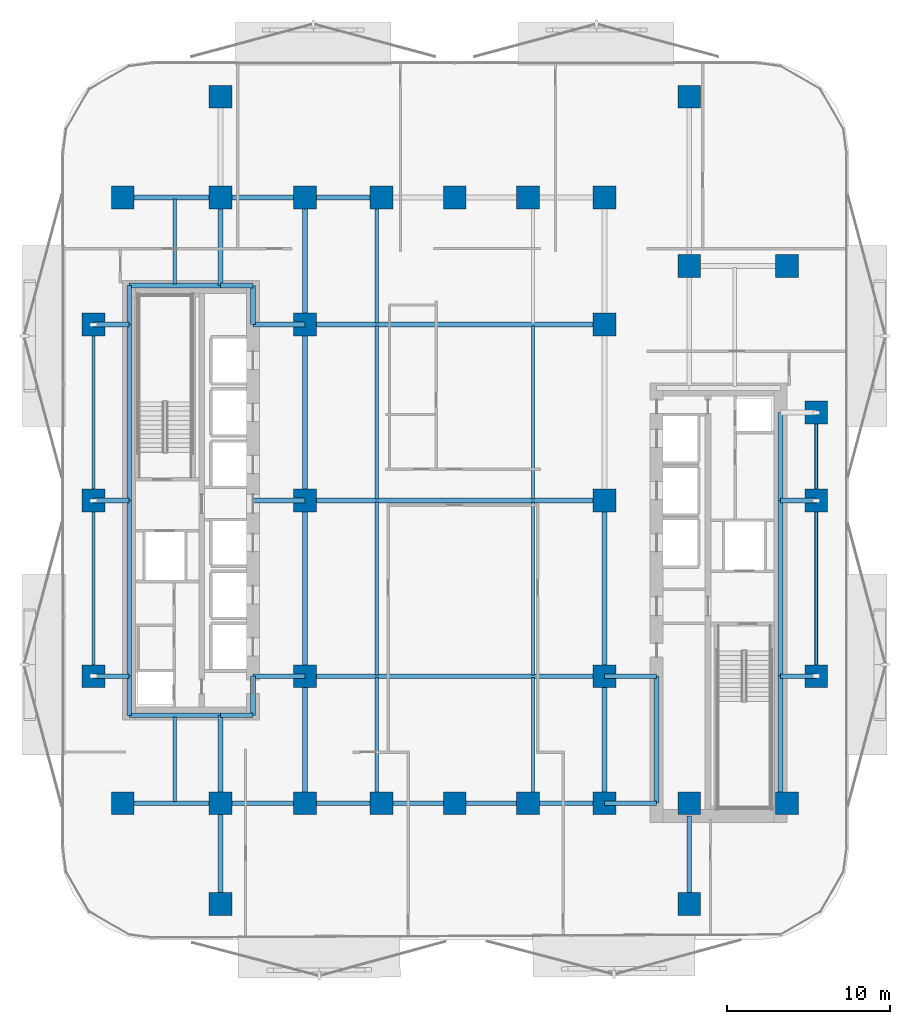
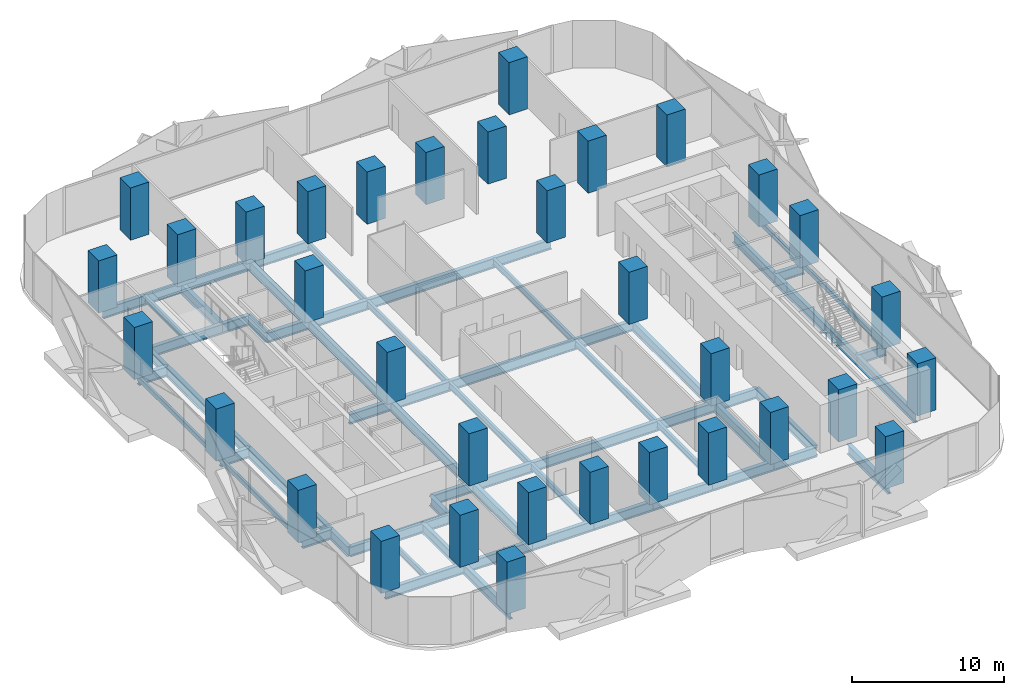
# One storey, part 1 of 16: 59 beams, 34 columns.
"""IFC4 building model written with IfcOpenShell, lengths in metres."""

from ifc_helpers import new_model, si_unit, direction, frame, origin, origin_2d, place, context, subcontext, project, spatial, rectangle, hollow_rectangle, i_section, extrude, material, material_profile, profile_set, type_object, element, save


model = new_model("IFC4")

# Units and contexts
model_context = context("Model", 3, precision=1e-05, world=origin(), true_north=direction((0.0, 1.0)))
body_context = subcontext(model_context, "Body", "Model", "MODEL_VIEW")
ifc_project = project(units=[si_unit("LENGTHUNIT", "METRE"), si_unit("AREAUNIT", "SQUARE_METRE"), si_unit("VOLUMEUNIT", "CUBIC_METRE"), si_unit("PLANEANGLEUNIT", "RADIAN"), si_unit("MASSUNIT", "GRAM", prefix="KILO")], contexts=[model_context])

# Site, building, storey
site_placement = place(None, origin())
site = spatial("IfcSite", under=ifc_project, at=site_placement, CompositionType="ELEMENT")
building_placement = place(site_placement, origin())
building = spatial("IfcBuilding", under=site, at=building_placement, Name="Khairoan Windgate Tower", CompositionType="ELEMENT")
storey_placement = place(building_placement, frame((0.0, 0.0, 80.60009765625)))
storey = spatial("IfcBuildingStorey", under=building, at=storey_placement, Name="L19", CompositionType="ELEMENT", Elevation=80.60009765625)

# Columns
ifc_material_1 = material(Name="Concrete C60/75", Category="concrete")
ifc_material_profile_1 = material_profile(ifc_material_1, rectangle(XDim=1.39990234375, YDim=1.39990234375, at=origin_2d()))
ifc_profile_set_1 = profile_set([ifc_material_profile_1], Name="Concrete C60/75")
column_type = type_object("IfcColumnType", Name="Column C-T2 RC1400x1400", PredefinedType="COLUMN", material=ifc_profile_set_1)
for number, where, z_axis, x_axis, name in (
    (1, (-9.199951171875, -18.60009765625, 0.0), (0.0, 0.0, 1.0), (1.0, 0.0, 0.0), "Column L19-01"),
    (2, (-9.199951171875, -10.800048828125, 0.0), (0.0, 0.0, 1.0), (1.0, 0.0, 0.0), "Column L19-02"),
    (3, (-9.199951171875, 0.0, 0.0), (0.0, 0.0, 1.0), (1.0, 0.0, 0.0), "Column L19-03"),
    (4, (-9.199951171875, 10.800048828125, 0.0), (0.0, 0.0, 1.0), (1.0, 0.0, 0.0), "Column L19-04"),
    (5, (-9.199951171875, 18.60009765625, 0.0), (0.0, 0.0, 1.0), (1.0, 0.0, 0.0), "Column L19-05"),
    (6, (9.199951171875, -18.60009765625, 0.0), (0.0, 0.0, 1.0), (1.0, 0.0, 0.0), "Column L19-06"),
    (7, (9.199951171875, -10.800048828125, 0.0), (0.0, 0.0, 1.0), (1.0, 0.0, 0.0), "Column L19-07"),
    (8, (9.199951171875, 0.0, 0.0), (0.0, 0.0, 1.0), (1.0, 0.0, 0.0), "Column L19-08"),
    (9, (9.199951171875, 10.800048828125, 0.0), (0.0, 0.0, 1.0), (1.0, 0.0, 0.0), "Column L19-09"),
    (10, (9.199951171875, 18.60009765625, 0.0), (0.0, 0.0, 1.0), (1.0, 0.0, 0.0), "Column L19-10"),
    (11, (-20.39990234375, -18.60009765625, 0.0), (0.0, 0.0, 1.0), (1.0, 0.0, 0.0), "Column L19-11"),
    (12, (-20.39990234375, 18.60009765625, 0.0), (0.0, 0.0, 1.0), (1.0, 0.0, 0.0), "Column L19-12"),
    (13, (20.39990234375, -18.60009765625, 0.0), (0.0, 0.0, 1.0), (1.0, 0.0, 0.0), "Column L19-13"),
    (14, (20.39990234375, 14.39990234375, 0.0), (0.0, 0.0, 1.0), (1.0, 0.0, 0.0), "Column L19-14"),
    (15, (-14.39990234375, -18.60009765625, 0.0), (0.0, 0.0, 1.0), (1.0, 0.0, 0.0), "Column L19-15"),
    (16, (-14.39990234375, 18.60009765625, 0.0), (0.0, 0.0, 1.0), (1.0, 0.0, 0.0), "Column L19-16"),
    (17, (14.39990234375, -18.60009765625, 0.0), (0.0, 0.0, 1.0), (1.0, 0.0, 0.0), "Column L19-17"),
    (18, (14.39990234375, 14.39990234375, 0.0), (0.0, 0.0, 1.0), (1.0, 0.0, 0.0), "Column L19-18"),
    (19, (-4.5, -18.60009765625, 0.0), (0.0, 0.0, 1.0), (1.0, 0.0, 0.0), "Column L19-19"),
    (20, (0.0, -18.60009765625, 0.0), (0.0, 0.0, 1.0), (1.0, 0.0, 0.0), "Column L19-20"),
    (21, (4.5, -18.60009765625, 0.0), (0.0, 0.0, 1.0), (1.0, 0.0, 0.0), "Column L19-21"),
    (22, (-4.5, 18.60009765625, 0.0), (0.0, 0.0, 1.0), (1.0, 0.0, 0.0), "Column L19-22"),
    (23, (0.0, 18.60009765625, 0.0), (0.0, 0.0, 1.0), (1.0, 0.0, 0.0), "Column L19-23"),
    (24, (4.5, 18.60009765625, 0.0), (0.0, 0.0, 1.0), (1.0, 0.0, 0.0), "Column L19-24"),
    (25, (-22.199951171875, -10.800048828125, 0.0), (0.0, 0.0, 1.0), (1.0, 0.0, 0.0), "Column L19-25"),
    (26, (-22.199951171875, 0.0, 0.0), (0.0, 0.0, 1.0), (1.0, 0.0, 0.0), "Column L19-26"),
    (27, (-22.199951171875, 10.800048828125, 0.0), (0.0, 0.0, 1.0), (1.0, 0.0, 0.0), "Column L19-27"),
    (28, (22.199951171875, -10.800048828125, 0.0), (0.0, 0.0, 1.0), (1.0, 0.0, 0.0), "Column L19-28"),
    (29, (22.199951171875, 0.0, 0.0), (0.0, 0.0, 1.0), (1.0, 0.0, 0.0), "Column L19-29"),
    (30, (22.199951171875, 5.39990234375, 0.0), (0.0, 0.0, 1.0), (1.0, 0.0, 0.0), "Column L19-30"),
    (31, (-14.39990234375, -24.800048828125, 0.0), (0.0, 0.0, 1.0), (1.0, 0.0, 0.0), "Column L19-31"),
    (32, (-14.39990234375, 24.800048828125, 0.0), (0.0, 0.0, 1.0), (1.0, 0.0, 0.0), "Column L19-32"),
    (33, (14.39990234375, -24.800048828125, 0.0), (0.0, 0.0, 1.0), (1.0, 0.0, 0.0), "Column L19-33"),
    (34, (14.39990234375, 24.800048828125, 0.0), (0.0, 0.0, 1.0), (1.0, 0.0, 0.0), "Column L19-34"),
):
    element("IfcColumn", number, at=place(storey_placement, frame(where, z_axis=z_axis, x_axis=x_axis)), inside=storey, type_object=column_type, Name=name, PredefinedType="COLUMN", context=body_context, shape_type="SweptSolid", body=[
        extrude(rectangle(XDim=1.39990234375, YDim=1.39990234375, at=origin_2d()), origin(), (0.0, 0.0, 1.0), 4.199951171875),
    ])

# Beams
ifc_material_2 = material(Name="Steel S355", Category="steel")
ifc_material_profile_2 = material_profile(ifc_material_2, i_section(OverallWidth=0.300048828125, OverallDepth=0.800048828125, WebThickness=0.013916015625, FlangeThickness=0.02587890625, FilletRadius=0.028076171875, at=origin_2d()))
ifc_profile_set_2 = profile_set([ifc_material_profile_2], Name="Steel S355")
beam_type_1 = type_object("IfcBeamType", Name="Beam B-G2 H800x300x14x26", PredefinedType="BEAM", material=ifc_profile_set_2)
beam_1_placement = place(storey_placement, frame((-20.39990234375, -18.60009765625, -0.66015625), z_axis=(1.0, 0.0, 0.0), x_axis=(0.0, 1.0, 0.0)))
element("IfcBeam", 35, at=beam_1_placement, inside=storey, type_object=beam_type_1, Name="L19 E-W Primary Girder 01", PredefinedType="BEAM", context=body_context, shape_type="SweptSolid", body=[
    extrude(i_section(OverallWidth=0.300048828125, OverallDepth=0.800048828125, WebThickness=0.013916015625, FlangeThickness=0.02587890625, FilletRadius=0.028076171875, at=origin_2d()), origin(), (0.0, 0.0, 1.0), 6.0),
])
beam_2_placement = place(storey_placement, frame((-14.39990234375, -18.60009765625, -0.66015625), z_axis=(1.0, 0.0, 0.0), x_axis=(0.0, 1.0, 0.0)))
element("IfcBeam", 36, at=beam_2_placement, inside=storey, type_object=beam_type_1, Name="L19 E-W Primary Girder 02", PredefinedType="BEAM", context=body_context, shape_type="SweptSolid", body=[
    extrude(i_section(OverallWidth=0.300048828125, OverallDepth=0.800048828125, WebThickness=0.013916015625, FlangeThickness=0.02587890625, FilletRadius=0.028076171875, at=origin_2d()), origin(), (0.0, 0.0, 1.0), 5.199951171875),
])
beam_3_placement = place(storey_placement, frame((-9.199951171875, -18.60009765625, -0.66015625), z_axis=(1.0, 0.0, 0.0), x_axis=(0.0, 1.0, 0.0)))
element("IfcBeam", 37, at=beam_3_placement, inside=storey, type_object=beam_type_1, Name="L19 E-W Primary Girder 03", PredefinedType="BEAM", context=body_context, shape_type="SweptSolid", body=[
    extrude(i_section(OverallWidth=0.300048828125, OverallDepth=0.800048828125, WebThickness=0.013916015625, FlangeThickness=0.02587890625, FilletRadius=0.028076171875, at=origin_2d()), origin(), (0.0, 0.0, 1.0), 4.699951171875),
])
for number, where, z_axis, x_axis, name in (
    (38, (-4.5, -18.60009765625, -0.66015625), (1.0, 0.0, 0.0), (0.0, 1.0, 0.0), "L19 E-W Primary Girder 04"),
    (39, (0.0, -18.60009765625, -0.66015625), (1.0, 0.0, 0.0), (0.0, 1.0, 0.0), "L19 E-W Primary Girder 05"),
):
    element("IfcBeam", number, at=place(storey_placement, frame(where, z_axis=z_axis, x_axis=x_axis)), inside=storey, type_object=beam_type_1, Name=name, PredefinedType="BEAM", context=body_context, shape_type="SweptSolid", body=[
        extrude(i_section(OverallWidth=0.300048828125, OverallDepth=0.800048828125, WebThickness=0.013916015625, FlangeThickness=0.02587890625, FilletRadius=0.028076171875, at=origin_2d()), origin(), (0.0, 0.0, 1.0), 4.5),
    ])
beam_4_placement = place(storey_placement, frame((4.5, -18.60009765625, -0.66015625), z_axis=(1.0, 0.0, 0.0), x_axis=(0.0, 1.0, 0.0)))
element("IfcBeam", 40, at=beam_4_placement, inside=storey, type_object=beam_type_1, Name="L19 E-W Primary Girder 06", PredefinedType="BEAM", context=body_context, shape_type="SweptSolid", body=[
    extrude(i_section(OverallWidth=0.300048828125, OverallDepth=0.800048828125, WebThickness=0.013916015625, FlangeThickness=0.02587890625, FilletRadius=0.028076171875, at=origin_2d()), origin(), (0.0, 0.0, 1.0), 4.699951171875),
])
beam_5_placement = place(storey_placement, frame((9.199951171875, -18.60009765625, -0.66015625), z_axis=(1.0, 0.0, 0.0), x_axis=(0.0, 1.0, 0.0)))
element("IfcBeam", 41, at=beam_5_placement, inside=storey, type_object=beam_type_1, Name="L19 E-W Primary Girder 07", PredefinedType="BEAM", context=body_context, shape_type="SweptSolid", body=[
    extrude(i_section(OverallWidth=0.300048828125, OverallDepth=0.800048828125, WebThickness=0.013916015625, FlangeThickness=0.02587890625, FilletRadius=0.028076171875, at=origin_2d()), origin(), (0.0, 0.0, 1.0), 3.199951171875),
])
beam_6_placement = place(storey_placement, frame((-20.0, -13.199951171875, -0.66015625), z_axis=(1.0, 0.0, 0.0), x_axis=(0.0, 1.0, 0.0)))
element("IfcBeam", 42, at=beam_6_placement, inside=storey, type_object=beam_type_1, Name="L19 E-W Primary Girder 08", PredefinedType="BEAM", context=body_context, shape_type="SweptSolid", body=[
    extrude(i_section(OverallWidth=0.300048828125, OverallDepth=0.800048828125, WebThickness=0.013916015625, FlangeThickness=0.02587890625, FilletRadius=0.028076171875, at=origin_2d()), origin(), (0.0, 0.0, 1.0), 5.60009765625),
])
beam_7_placement = place(storey_placement, frame((-14.39990234375, -13.199951171875, -0.66015625), z_axis=(1.0, 0.0, 0.0), x_axis=(0.0, 1.0, 0.0)))
element("IfcBeam", 43, at=beam_7_placement, inside=storey, type_object=beam_type_1, Name="L19 E-W Primary Girder 09", PredefinedType="BEAM", context=body_context, shape_type="SweptSolid", body=[
    extrude(i_section(OverallWidth=0.300048828125, OverallDepth=0.800048828125, WebThickness=0.013916015625, FlangeThickness=0.02587890625, FilletRadius=0.028076171875, at=origin_2d()), origin(), (0.0, 0.0, 1.0), 2.0),
])
beam_8_placement = place(storey_placement, frame((-22.199951171875, -10.800048828125, -0.66015625), z_axis=(1.0, 0.0, 0.0), x_axis=(0.0, 1.0, 0.0)))
element("IfcBeam", 44, at=beam_8_placement, inside=storey, type_object=beam_type_1, Name="L19 E-W Primary Girder 10", PredefinedType="BEAM", context=body_context, shape_type="SweptSolid", body=[
    extrude(i_section(OverallWidth=0.300048828125, OverallDepth=0.800048828125, WebThickness=0.013916015625, FlangeThickness=0.02587890625, FilletRadius=0.028076171875, at=origin_2d()), origin(), (0.0, 0.0, 1.0), 2.199951171875),
])
beam_9_placement = place(storey_placement, frame((-12.39990234375, -10.800048828125, -0.66015625), z_axis=(1.0, 0.0, 0.0), x_axis=(0.0, 1.0, 0.0)))
element("IfcBeam", 45, at=beam_9_placement, inside=storey, type_object=beam_type_1, Name="L19 E-W Primary Girder 11", PredefinedType="BEAM", context=body_context, shape_type="SweptSolid", body=[
    extrude(i_section(OverallWidth=0.300048828125, OverallDepth=0.800048828125, WebThickness=0.013916015625, FlangeThickness=0.02587890625, FilletRadius=0.028076171875, at=origin_2d()), origin(), (0.0, 0.0, 1.0), 3.199951171875),
])
beam_10_placement = place(storey_placement, frame((-9.199951171875, -10.800048828125, -0.66015625), z_axis=(1.0, 0.0, 0.0), x_axis=(0.0, 1.0, 0.0)))
element("IfcBeam", 46, at=beam_10_placement, inside=storey, type_object=beam_type_1, Name="L19 E-W Primary Girder 12", PredefinedType="BEAM", context=body_context, shape_type="SweptSolid", body=[
    extrude(i_section(OverallWidth=0.300048828125, OverallDepth=0.800048828125, WebThickness=0.013916015625, FlangeThickness=0.02587890625, FilletRadius=0.028076171875, at=origin_2d()), origin(), (0.0, 0.0, 1.0), 18.39990234375),
])
beam_11_placement = place(storey_placement, frame((9.199951171875, -10.800048828125, -0.66015625), z_axis=(1.0, 0.0, 0.0), x_axis=(0.0, 1.0, 0.0)))
element("IfcBeam", 47, at=beam_11_placement, inside=storey, type_object=beam_type_1, Name="L19 E-W Primary Girder 13", PredefinedType="BEAM", context=body_context, shape_type="SweptSolid", body=[
    extrude(i_section(OverallWidth=0.300048828125, OverallDepth=0.800048828125, WebThickness=0.013916015625, FlangeThickness=0.02587890625, FilletRadius=0.028076171875, at=origin_2d()), origin(), (0.0, 0.0, 1.0), 3.199951171875),
])
for number, where, z_axis, x_axis, name in (
    (48, (20.0, -10.800048828125, -0.66015625), (1.0, 0.0, 0.0), (0.0, 1.0, 0.0), "L19 E-W Primary Girder 14"),
    (49, (-22.199951171875, 0.0, -0.66015625), (1.0, 0.0, 0.0), (0.0, 1.0, 0.0), "L19 E-W Primary Girder 15"),
):
    element("IfcBeam", number, at=place(storey_placement, frame(where, z_axis=z_axis, x_axis=x_axis)), inside=storey, type_object=beam_type_1, Name=name, PredefinedType="BEAM", context=body_context, shape_type="SweptSolid", body=[
        extrude(i_section(OverallWidth=0.300048828125, OverallDepth=0.800048828125, WebThickness=0.013916015625, FlangeThickness=0.02587890625, FilletRadius=0.028076171875, at=origin_2d()), origin(), (0.0, 0.0, 1.0), 2.199951171875),
    ])
beam_12_placement = place(storey_placement, frame((-12.39990234375, 0.0, -0.66015625), z_axis=(1.0, 0.0, 0.0), x_axis=(0.0, 1.0, 0.0)))
element("IfcBeam", 50, at=beam_12_placement, inside=storey, type_object=beam_type_1, Name="L19 E-W Primary Girder 16", PredefinedType="BEAM", context=body_context, shape_type="SweptSolid", body=[
    extrude(i_section(OverallWidth=0.300048828125, OverallDepth=0.800048828125, WebThickness=0.013916015625, FlangeThickness=0.02587890625, FilletRadius=0.028076171875, at=origin_2d()), origin(), (0.0, 0.0, 1.0), 3.199951171875),
])
beam_13_placement = place(storey_placement, frame((-9.199951171875, 0.0, -0.66015625), z_axis=(1.0, 0.0, 0.0), x_axis=(0.0, 1.0, 0.0)))
element("IfcBeam", 51, at=beam_13_placement, inside=storey, type_object=beam_type_1, Name="L19 E-W Primary Girder 17", PredefinedType="BEAM", context=body_context, shape_type="SweptSolid", body=[
    extrude(i_section(OverallWidth=0.300048828125, OverallDepth=0.800048828125, WebThickness=0.013916015625, FlangeThickness=0.02587890625, FilletRadius=0.028076171875, at=origin_2d()), origin(), (0.0, 0.0, 1.0), 18.39990234375),
])
for number, where, z_axis, x_axis, name in (
    (52, (20.0, 0.0, -0.66015625), (1.0, 0.0, 0.0), (0.0, 1.0, 0.0), "L19 E-W Primary Girder 18"),
    (53, (-22.199951171875, 10.800048828125, -0.66015625), (1.0, 0.0, 0.0), (0.0, 1.0, 0.0), "L19 E-W Primary Girder 22"),
):
    element("IfcBeam", number, at=place(storey_placement, frame(where, z_axis=z_axis, x_axis=x_axis)), inside=storey, type_object=beam_type_1, Name=name, PredefinedType="BEAM", context=body_context, shape_type="SweptSolid", body=[
        extrude(i_section(OverallWidth=0.300048828125, OverallDepth=0.800048828125, WebThickness=0.013916015625, FlangeThickness=0.02587890625, FilletRadius=0.028076171875, at=origin_2d()), origin(), (0.0, 0.0, 1.0), 2.199951171875),
    ])
beam_14_placement = place(storey_placement, frame((-12.39990234375, 10.800048828125, -0.66015625), z_axis=(1.0, 0.0, 0.0), x_axis=(0.0, 1.0, 0.0)))
element("IfcBeam", 54, at=beam_14_placement, inside=storey, type_object=beam_type_1, Name="L19 E-W Primary Girder 23", PredefinedType="BEAM", context=body_context, shape_type="SweptSolid", body=[
    extrude(i_section(OverallWidth=0.300048828125, OverallDepth=0.800048828125, WebThickness=0.013916015625, FlangeThickness=0.02587890625, FilletRadius=0.028076171875, at=origin_2d()), origin(), (0.0, 0.0, 1.0), 3.199951171875),
])
beam_15_placement = place(storey_placement, frame((-9.199951171875, 10.800048828125, -0.66015625), z_axis=(1.0, 0.0, 0.0), x_axis=(0.0, 1.0, 0.0)))
element("IfcBeam", 55, at=beam_15_placement, inside=storey, type_object=beam_type_1, Name="L19 E-W Primary Girder 24", PredefinedType="BEAM", context=body_context, shape_type="SweptSolid", body=[
    extrude(i_section(OverallWidth=0.300048828125, OverallDepth=0.800048828125, WebThickness=0.013916015625, FlangeThickness=0.02587890625, FilletRadius=0.028076171875, at=origin_2d()), origin(), (0.0, 0.0, 1.0), 18.39990234375),
])
beam_16_placement = place(storey_placement, frame((-20.0, 13.199951171875, -0.66015625), z_axis=(1.0, 0.0, 0.0), x_axis=(0.0, 1.0, 0.0)))
element("IfcBeam", 56, at=beam_16_placement, inside=storey, type_object=beam_type_1, Name="L19 E-W Primary Girder 25", PredefinedType="BEAM", context=body_context, shape_type="SweptSolid", body=[
    extrude(i_section(OverallWidth=0.300048828125, OverallDepth=0.800048828125, WebThickness=0.013916015625, FlangeThickness=0.02587890625, FilletRadius=0.028076171875, at=origin_2d()), origin(), (0.0, 0.0, 1.0), 5.60009765625),
])
beam_17_placement = place(storey_placement, frame((-14.39990234375, 13.199951171875, -0.66015625), z_axis=(1.0, 0.0, 0.0), x_axis=(0.0, 1.0, 0.0)))
element("IfcBeam", 57, at=beam_17_placement, inside=storey, type_object=beam_type_1, Name="L19 E-W Primary Girder 26", PredefinedType="BEAM", context=body_context, shape_type="SweptSolid", body=[
    extrude(i_section(OverallWidth=0.300048828125, OverallDepth=0.800048828125, WebThickness=0.013916015625, FlangeThickness=0.02587890625, FilletRadius=0.028076171875, at=origin_2d()), origin(), (0.0, 0.0, 1.0), 2.0),
])
beam_18_placement = place(storey_placement, frame((-20.39990234375, 18.60009765625, -0.66015625), z_axis=(1.0, 0.0, 0.0), x_axis=(0.0, 1.0, 0.0)))
element("IfcBeam", 58, at=beam_18_placement, inside=storey, type_object=beam_type_1, Name="L19 E-W Primary Girder 28", PredefinedType="BEAM", context=body_context, shape_type="SweptSolid", body=[
    extrude(i_section(OverallWidth=0.300048828125, OverallDepth=0.800048828125, WebThickness=0.013916015625, FlangeThickness=0.02587890625, FilletRadius=0.028076171875, at=origin_2d()), origin(), (0.0, 0.0, 1.0), 6.0),
])
beam_19_placement = place(storey_placement, frame((-14.39990234375, 18.60009765625, -0.66015625), z_axis=(1.0, 0.0, 0.0), x_axis=(0.0, 1.0, 0.0)))
element("IfcBeam", 59, at=beam_19_placement, inside=storey, type_object=beam_type_1, Name="L19 E-W Primary Girder 29", PredefinedType="BEAM", context=body_context, shape_type="SweptSolid", body=[
    extrude(i_section(OverallWidth=0.300048828125, OverallDepth=0.800048828125, WebThickness=0.013916015625, FlangeThickness=0.02587890625, FilletRadius=0.028076171875, at=origin_2d()), origin(), (0.0, 0.0, 1.0), 5.199951171875),
])
beam_20_placement = place(storey_placement, frame((-9.199951171875, 18.60009765625, -0.66015625), z_axis=(1.0, 0.0, 0.0), x_axis=(0.0, 1.0, 0.0)))
element("IfcBeam", 60, at=beam_20_placement, inside=storey, type_object=beam_type_1, Name="L19 E-W Primary Girder 30", PredefinedType="BEAM", context=body_context, shape_type="SweptSolid", body=[
    extrude(i_section(OverallWidth=0.300048828125, OverallDepth=0.800048828125, WebThickness=0.013916015625, FlangeThickness=0.02587890625, FilletRadius=0.028076171875, at=origin_2d()), origin(), (0.0, 0.0, 1.0), 4.699951171875),
])
beam_21_placement = place(storey_placement, frame((-20.0, -13.199951171875, -0.66015625), z_axis=(0.0, 1.0, 0.0), x_axis=(-1.0, 0.0, 0.0)))
element("IfcBeam", 61, at=beam_21_placement, inside=storey, type_object=beam_type_1, Name="L19 N-S Primary Beam 36", PredefinedType="BEAM", context=body_context, shape_type="SweptSolid", body=[
    extrude(i_section(OverallWidth=0.300048828125, OverallDepth=0.800048828125, WebThickness=0.013916015625, FlangeThickness=0.02587890625, FilletRadius=0.028076171875, at=origin_2d()), origin(), (0.0, 0.0, 1.0), 2.39990234375),
])
for number, where, z_axis, x_axis, name in (
    (62, (-20.0, -10.800048828125, -0.66015625), (0.0, 1.0, 0.0), (-1.0, 0.0, 0.0), "L19 N-S Primary Beam 37"),
    (63, (-20.0, 0.0, -0.66015625), (0.0, 1.0, 0.0), (-1.0, 0.0, 0.0), "L19 N-S Primary Beam 38"),
):
    element("IfcBeam", number, at=place(storey_placement, frame(where, z_axis=z_axis, x_axis=x_axis)), inside=storey, type_object=beam_type_1, Name=name, PredefinedType="BEAM", context=body_context, shape_type="SweptSolid", body=[
        extrude(i_section(OverallWidth=0.300048828125, OverallDepth=0.800048828125, WebThickness=0.013916015625, FlangeThickness=0.02587890625, FilletRadius=0.028076171875, at=origin_2d()), origin(), (0.0, 0.0, 1.0), 10.800048828125),
    ])
beam_22_placement = place(storey_placement, frame((-20.0, 10.800048828125, -0.66015625), z_axis=(0.0, 1.0, 0.0), x_axis=(-1.0, 0.0, 0.0)))
element("IfcBeam", 64, at=beam_22_placement, inside=storey, type_object=beam_type_1, Name="L19 N-S Primary Beam 39", PredefinedType="BEAM", context=body_context, shape_type="SweptSolid", body=[
    extrude(i_section(OverallWidth=0.300048828125, OverallDepth=0.800048828125, WebThickness=0.013916015625, FlangeThickness=0.02587890625, FilletRadius=0.028076171875, at=origin_2d()), origin(), (0.0, 0.0, 1.0), 2.39990234375),
])
beam_23_placement = place(storey_placement, frame((-14.39990234375, -24.800048828125, -0.66015625), z_axis=(0.0, 1.0, 0.0), x_axis=(-1.0, 0.0, 0.0)))
element("IfcBeam", 65, at=beam_23_placement, inside=storey, type_object=beam_type_1, Name="L19 N-S Primary Beam 40", PredefinedType="BEAM", context=body_context, shape_type="SweptSolid", body=[
    extrude(i_section(OverallWidth=0.300048828125, OverallDepth=0.800048828125, WebThickness=0.013916015625, FlangeThickness=0.02587890625, FilletRadius=0.028076171875, at=origin_2d()), origin(), (0.0, 0.0, 1.0), 6.199951171875),
])
for number, where, z_axis, x_axis, name in (
    (66, (-14.39990234375, -18.60009765625, -0.66015625), (0.0, 1.0, 0.0), (-1.0, 0.0, 0.0), "L19 N-S Primary Beam 41"),
    (67, (-14.39990234375, 13.199951171875, -0.66015625), (0.0, 1.0, 0.0), (-1.0, 0.0, 0.0), "L19 N-S Primary Beam 42"),
):
    element("IfcBeam", number, at=place(storey_placement, frame(where, z_axis=z_axis, x_axis=x_axis)), inside=storey, type_object=beam_type_1, Name=name, PredefinedType="BEAM", context=body_context, shape_type="SweptSolid", body=[
        extrude(i_section(OverallWidth=0.300048828125, OverallDepth=0.800048828125, WebThickness=0.013916015625, FlangeThickness=0.02587890625, FilletRadius=0.028076171875, at=origin_2d()), origin(), (0.0, 0.0, 1.0), 5.400146484375),
    ])
for number, where, z_axis, x_axis, name in (
    (68, (-12.39990234375, -13.199951171875, -0.66015625), (0.0, 1.0, 0.0), (-1.0, 0.0, 0.0), "L19 N-S Primary Beam 44"),
    (69, (-12.39990234375, 10.800048828125, -0.66015625), (0.0, 1.0, 0.0), (-1.0, 0.0, 0.0), "L19 N-S Primary Beam 45"),
):
    element("IfcBeam", number, at=place(storey_placement, frame(where, z_axis=z_axis, x_axis=x_axis)), inside=storey, type_object=beam_type_1, Name=name, PredefinedType="BEAM", context=body_context, shape_type="SweptSolid", body=[
        extrude(i_section(OverallWidth=0.300048828125, OverallDepth=0.800048828125, WebThickness=0.013916015625, FlangeThickness=0.02587890625, FilletRadius=0.028076171875, at=origin_2d()), origin(), (0.0, 0.0, 1.0), 2.39990234375),
    ])
beam_24_placement = place(storey_placement, frame((-9.199951171875, -18.60009765625, -0.66015625), z_axis=(0.0, 1.0, 0.0), x_axis=(-1.0, 0.0, 0.0)))
element("IfcBeam", 70, at=beam_24_placement, inside=storey, type_object=beam_type_1, Name="L19 N-S Primary Beam 46", PredefinedType="BEAM", context=body_context, shape_type="SweptSolid", body=[
    extrude(i_section(OverallWidth=0.300048828125, OverallDepth=0.800048828125, WebThickness=0.013916015625, FlangeThickness=0.02587890625, FilletRadius=0.028076171875, at=origin_2d()), origin(), (0.0, 0.0, 1.0), 7.800048828125),
])
for number, where, z_axis, x_axis, name in (
    (71, (-9.199951171875, -10.800048828125, -0.66015625), (0.0, 1.0, 0.0), (-1.0, 0.0, 0.0), "L19 N-S Primary Beam 47"),
    (72, (-9.199951171875, 0.0, -0.66015625), (0.0, 1.0, 0.0), (-1.0, 0.0, 0.0), "L19 N-S Primary Beam 48"),
):
    element("IfcBeam", number, at=place(storey_placement, frame(where, z_axis=z_axis, x_axis=x_axis)), inside=storey, type_object=beam_type_1, Name=name, PredefinedType="BEAM", context=body_context, shape_type="SweptSolid", body=[
        extrude(i_section(OverallWidth=0.300048828125, OverallDepth=0.800048828125, WebThickness=0.013916015625, FlangeThickness=0.02587890625, FilletRadius=0.028076171875, at=origin_2d()), origin(), (0.0, 0.0, 1.0), 10.800048828125),
    ])
for number, where, z_axis, x_axis, name in (
    (73, (-9.199951171875, 10.800048828125, -0.66015625), (0.0, 1.0, 0.0), (-1.0, 0.0, 0.0), "L19 N-S Primary Beam 49"),
    (74, (9.199951171875, -18.60009765625, -0.66015625), (0.0, 1.0, 0.0), (-1.0, 0.0, 0.0), "L19 N-S Primary Beam 50"),
):
    element("IfcBeam", number, at=place(storey_placement, frame(where, z_axis=z_axis, x_axis=x_axis)), inside=storey, type_object=beam_type_1, Name=name, PredefinedType="BEAM", context=body_context, shape_type="SweptSolid", body=[
        extrude(i_section(OverallWidth=0.300048828125, OverallDepth=0.800048828125, WebThickness=0.013916015625, FlangeThickness=0.02587890625, FilletRadius=0.028076171875, at=origin_2d()), origin(), (0.0, 0.0, 1.0), 7.800048828125),
    ])
beam_25_placement = place(storey_placement, frame((9.199951171875, -10.800048828125, -0.66015625), z_axis=(0.0, 1.0, 0.0), x_axis=(-1.0, 0.0, 0.0)))
element("IfcBeam", 75, at=beam_25_placement, inside=storey, type_object=beam_type_1, Name="L19 N-S Primary Beam 51", PredefinedType="BEAM", context=body_context, shape_type="SweptSolid", body=[
    extrude(i_section(OverallWidth=0.300048828125, OverallDepth=0.800048828125, WebThickness=0.013916015625, FlangeThickness=0.02587890625, FilletRadius=0.028076171875, at=origin_2d()), origin(), (0.0, 0.0, 1.0), 10.800048828125),
])
beam_26_placement = place(storey_placement, frame((12.39990234375, -18.60009765625, -0.66015625), z_axis=(0.0, 1.0, 0.0), x_axis=(-1.0, 0.0, 0.0)))
element("IfcBeam", 76, at=beam_26_placement, inside=storey, type_object=beam_type_1, Name="L19 N-S Primary Beam 54", PredefinedType="BEAM", context=body_context, shape_type="SweptSolid", body=[
    extrude(i_section(OverallWidth=0.300048828125, OverallDepth=0.800048828125, WebThickness=0.013916015625, FlangeThickness=0.02587890625, FilletRadius=0.028076171875, at=origin_2d()), origin(), (0.0, 0.0, 1.0), 7.800048828125),
])
beam_27_placement = place(storey_placement, frame((14.39990234375, -24.800048828125, -0.66015625), z_axis=(0.0, 1.0, 0.0), x_axis=(-1.0, 0.0, 0.0)))
element("IfcBeam", 77, at=beam_27_placement, inside=storey, type_object=beam_type_1, Name="L19 N-S Primary Beam 55", PredefinedType="BEAM", context=body_context, shape_type="SweptSolid", body=[
    extrude(i_section(OverallWidth=0.300048828125, OverallDepth=0.800048828125, WebThickness=0.013916015625, FlangeThickness=0.02587890625, FilletRadius=0.028076171875, at=origin_2d()), origin(), (0.0, 0.0, 1.0), 5.400146484375),
])
beam_28_placement = place(storey_placement, frame((20.0, -18.60009765625, -0.66015625), z_axis=(0.0, 1.0, 0.0), x_axis=(-1.0, 0.0, 0.0)))
element("IfcBeam", 78, at=beam_28_placement, inside=storey, type_object=beam_type_1, Name="L19 N-S Primary Beam 58", PredefinedType="BEAM", context=body_context, shape_type="SweptSolid", body=[
    extrude(i_section(OverallWidth=0.300048828125, OverallDepth=0.800048828125, WebThickness=0.013916015625, FlangeThickness=0.02587890625, FilletRadius=0.028076171875, at=origin_2d()), origin(), (0.0, 0.0, 1.0), 7.800048828125),
])
beam_29_placement = place(storey_placement, frame((20.0, -10.800048828125, -0.66015625), z_axis=(0.0, 1.0, 0.0), x_axis=(-1.0, 0.0, 0.0)))
element("IfcBeam", 79, at=beam_29_placement, inside=storey, type_object=beam_type_1, Name="L19 N-S Primary Beam 59", PredefinedType="BEAM", context=body_context, shape_type="SweptSolid", body=[
    extrude(i_section(OverallWidth=0.300048828125, OverallDepth=0.800048828125, WebThickness=0.013916015625, FlangeThickness=0.02587890625, FilletRadius=0.028076171875, at=origin_2d()), origin(), (0.0, 0.0, 1.0), 10.800048828125),
])
beam_30_placement = place(storey_placement, frame((20.0, 0.0, -0.66015625), z_axis=(0.0, 1.0, 0.0), x_axis=(-1.0, 0.0, 0.0)))
element("IfcBeam", 80, at=beam_30_placement, inside=storey, type_object=beam_type_1, Name="L19 N-S Primary Beam 60", PredefinedType="BEAM", context=body_context, shape_type="SweptSolid", body=[
    extrude(i_section(OverallWidth=0.300048828125, OverallDepth=0.800048828125, WebThickness=0.013916015625, FlangeThickness=0.02587890625, FilletRadius=0.028076171875, at=origin_2d()), origin(), (0.0, 0.0, 1.0), 5.39990234375),
])
ifc_material_3 = material(Name="Steel S355", Category="steel")
ifc_material_profile_3 = material_profile(ifc_material_3, i_section(OverallWidth=0.199951171875, OverallDepth=0.5, WebThickness=0.010009765625, FlangeThickness=0.01611328125, FilletRadius=0.02001953125, at=origin_2d()))
ifc_profile_set_3 = profile_set([ifc_material_profile_3], Name="Steel S355")
beam_type_2 = type_object("IfcBeamType", Name="Beam J-S2 H500x200x10x16", PredefinedType="JOIST", material=ifc_profile_set_3)
for number, where, z_axis, x_axis, name in (
    (81, (-17.199951171875, -18.510009765625, -0.510009765625), (0.0, 1.0, 0.0), (-1.0, 0.0, 0.0), "L19 Secondary Floor Joist 01"),
    (82, (-17.199951171875, 13.2900390625, -0.510009765625), (0.0, 1.0, 0.0), (-1.0, 0.0, 0.0), "L19 Secondary Floor Joist 02"),
):
    element("IfcBeam", number, at=place(storey_placement, frame(where, z_axis=z_axis, x_axis=x_axis)), inside=storey, type_object=beam_type_2, Name=name, PredefinedType="JOIST", context=body_context, shape_type="SweptSolid", body=[
        extrude(i_section(OverallWidth=0.199951171875, OverallDepth=0.5, WebThickness=0.010009765625, FlangeThickness=0.01611328125, FilletRadius=0.02001953125, at=origin_2d()), origin(), (0.0, 0.0, 1.0), 5.219970703125),
    ])
beam_31_placement = place(storey_placement, frame((-4.800048828125, -18.510009765625, -0.510009765625), z_axis=(0.0, 1.0, 0.0), x_axis=(-1.0, 0.0, 0.0)))
element("IfcBeam", 83, at=beam_31_placement, inside=storey, type_object=beam_type_2, Name="L19 Secondary Floor Joist 03", PredefinedType="JOIST", context=body_context, shape_type="SweptSolid", body=[
    extrude(i_section(OverallWidth=0.199951171875, OverallDepth=0.5, WebThickness=0.010009765625, FlangeThickness=0.01611328125, FilletRadius=0.02001953125, at=origin_2d()), origin(), (0.0, 0.0, 1.0), 7.6201171875),
])
for number, where, z_axis, x_axis, name in (
    (84, (-4.800048828125, -10.7099609375, -0.510009765625), (0.0, 1.0, 0.0), (-1.0, 0.0, 0.0), "L19 Secondary Floor Joist 04"),
    (85, (-4.800048828125, 0.090087890625, -0.510009765625), (0.0, 1.0, 0.0), (-1.0, 0.0, 0.0), "L19 Secondary Floor Joist 05"),
):
    element("IfcBeam", number, at=place(storey_placement, frame(where, z_axis=z_axis, x_axis=x_axis)), inside=storey, type_object=beam_type_2, Name=name, PredefinedType="JOIST", context=body_context, shape_type="SweptSolid", body=[
        extrude(i_section(OverallWidth=0.199951171875, OverallDepth=0.5, WebThickness=0.010009765625, FlangeThickness=0.01611328125, FilletRadius=0.02001953125, at=origin_2d()), origin(), (0.0, 0.0, 1.0), 10.619873046875),
    ])
for number, where, z_axis, x_axis, name in (
    (86, (-4.800048828125, 10.889892578125, -0.510009765625), (0.0, 1.0, 0.0), (-1.0, 0.0, 0.0), "L19 Secondary Floor Joist 06"),
    (87, (4.800048828125, -18.510009765625, -0.510009765625), (0.0, 1.0, 0.0), (-1.0, 0.0, 0.0), "L19 Secondary Floor Joist 07"),
):
    element("IfcBeam", number, at=place(storey_placement, frame(where, z_axis=z_axis, x_axis=x_axis)), inside=storey, type_object=beam_type_2, Name=name, PredefinedType="JOIST", context=body_context, shape_type="SweptSolid", body=[
        extrude(i_section(OverallWidth=0.199951171875, OverallDepth=0.5, WebThickness=0.010009765625, FlangeThickness=0.01611328125, FilletRadius=0.02001953125, at=origin_2d()), origin(), (0.0, 0.0, 1.0), 7.6201171875),
    ])
for number, where, z_axis, x_axis, name in (
    (88, (4.800048828125, -10.7099609375, -0.510009765625), (0.0, 1.0, 0.0), (-1.0, 0.0, 0.0), "L19 Secondary Floor Joist 08"),
    (89, (4.800048828125, 0.090087890625, -0.510009765625), (0.0, 1.0, 0.0), (-1.0, 0.0, 0.0), "L19 Secondary Floor Joist 09"),
):
    element("IfcBeam", number, at=place(storey_placement, frame(where, z_axis=z_axis, x_axis=x_axis)), inside=storey, type_object=beam_type_2, Name=name, PredefinedType="JOIST", context=body_context, shape_type="SweptSolid", body=[
        extrude(i_section(OverallWidth=0.199951171875, OverallDepth=0.5, WebThickness=0.010009765625, FlangeThickness=0.01611328125, FilletRadius=0.02001953125, at=origin_2d()), origin(), (0.0, 0.0, 1.0), 10.619873046875),
    ])
ifc_material_4 = material(Name="Steel S355", Category="steel")
ifc_material_profile_4 = material_profile(ifc_material_4, hollow_rectangle(XDim=0.199951171875, YDim=0.39990234375, WallThickness=0.013916015625, InnerFilletRadius=0.013916015625, OuterFilletRadius=0.028076171875, at=origin_2d()))
ifc_profile_set_4 = profile_set([ifc_material_profile_4], Name="Steel S355")
beam_type_3 = type_object("IfcBeamType", Name="Beam SP-B1 RHS400x200x14", PredefinedType="SPANDREL", material=ifc_profile_set_4)
for number, where, z_axis, x_axis, name in (
    (90, (-22.199951171875, -10.800048828125, -0.460205078125), (0.0, 1.0, 0.0), (-1.0, 0.0, 0.0), "L19 Spandrel Beam 34"),
    (91, (-22.199951171875, 0.0, -0.460205078125), (0.0, 1.0, 0.0), (-1.0, 0.0, 0.0), "L19 Spandrel Beam 35"),
    (92, (22.199951171875, -10.800048828125, -0.460205078125), (0.0, 1.0, 0.0), (-1.0, 0.0, 0.0), "L19 Spandrel Beam 61"),
):
    element("IfcBeam", number, at=place(storey_placement, frame(where, z_axis=z_axis, x_axis=x_axis)), inside=storey, type_object=beam_type_3, Name=name, PredefinedType="SPANDREL", context=body_context, shape_type="SweptSolid", body=[
        extrude(hollow_rectangle(XDim=0.199951171875, YDim=0.39990234375, WallThickness=0.013916015625, InnerFilletRadius=0.013916015625, OuterFilletRadius=0.028076171875, at=origin_2d()), origin(), (0.0, 0.0, 1.0), 10.800048828125),
    ])
beam_32_placement = place(storey_placement, frame((22.199951171875, 0.0, -0.460205078125), z_axis=(0.0, 1.0, 0.0), x_axis=(-1.0, 0.0, 0.0)))
element("IfcBeam", 93, at=beam_32_placement, inside=storey, type_object=beam_type_3, Name="L19 Spandrel Beam 62", PredefinedType="SPANDREL", context=body_context, shape_type="SweptSolid", body=[
    extrude(hollow_rectangle(XDim=0.199951171875, YDim=0.39990234375, WallThickness=0.013916015625, InnerFilletRadius=0.013916015625, OuterFilletRadius=0.028076171875, at=origin_2d()), origin(), (0.0, 0.0, 1.0), 5.39990234375),
])

save(model, "model.ifc")
